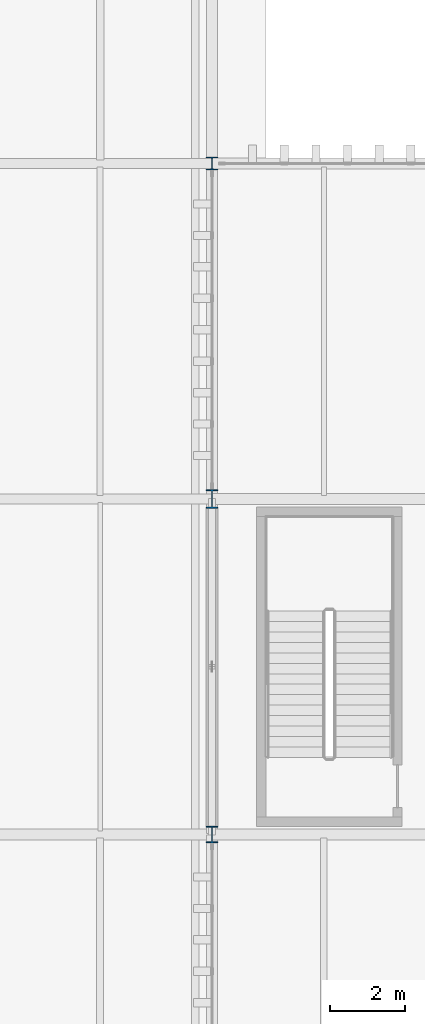
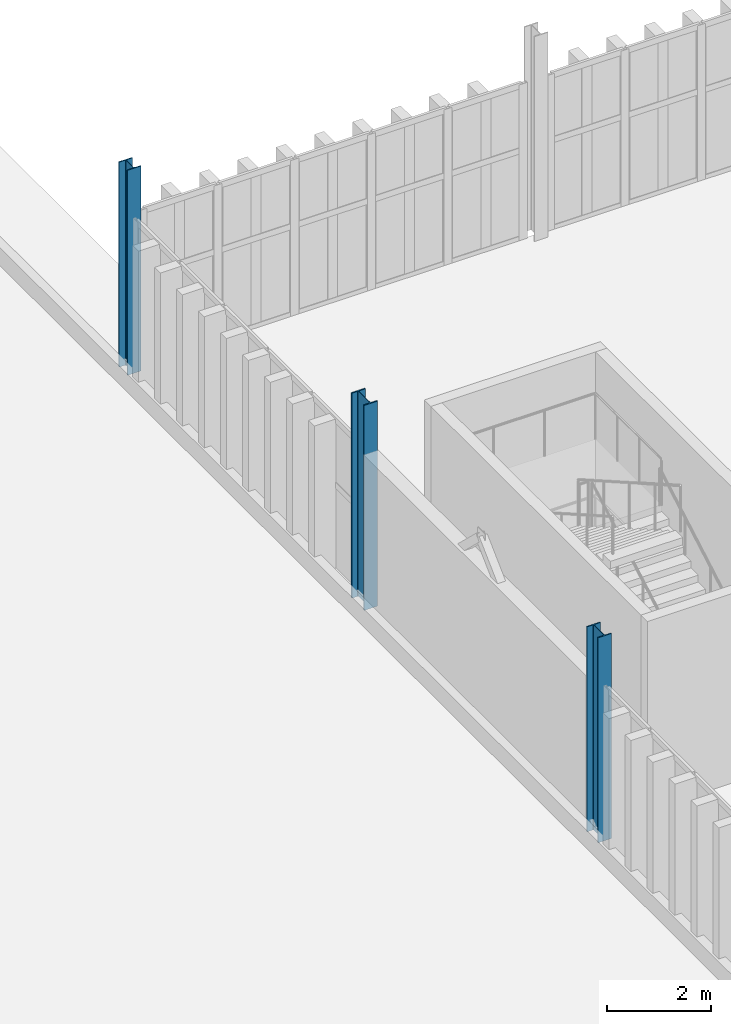
# One storey, part 7 of 196: 3 columns.
"""IFC4 building model written with IfcOpenShell, lengths in metres."""

import ifcopenshell
import ifcopenshell.guid

model = None  # the IFC model being written
_history = None  # IfcOwnerHistory: only IFC2X3 demands one
_inside = {}  # id of a spatial element -> (the spatial element, [elements in it])
_under = {}  # id of a project, library or spatial element -> (it, [spatial elements below it])
_declared = {}  # id of a project -> (the project, [libraries it declares])
_typed = {}  # id of a type object -> (the type object, [elements of that type])
_made_of = {}  # id of a material, layer set ... -> (it, [elements and type objects made of it])


def new_model(schema):
    """Start an empty IFC model of exactly this schema.

    Asked for "IFC4X3", IfcOpenShell would pick the latest addendum, in which some entities
    have other attributes; the version numbers below select the first issue.
    IFC2X3 requires an IfcOwnerHistory on every rooted entity: one is made here for all.
    """
    global model, _history
    if schema == "IFC4X3":
        model = ifcopenshell.file(schema_version=(4, 3, 0, 0))
    else:
        model = ifcopenshell.file(schema=schema)
    _inside.clear()
    _under.clear()
    _declared.clear()
    _typed.clear()
    _made_of.clear()
    _history = None
    if model.schema == "IFC2X3":
        org = make("IfcOrganization", Name="unknown")
        user = make(
            "IfcPersonAndOrganization",
            ThePerson=make("IfcPerson", FamilyName="unknown"),
            TheOrganization=org,
        )
        app = make(
            "IfcApplication",
            ApplicationDeveloper=org,
            Version="unknown",
            ApplicationFullName="unknown",
            ApplicationIdentifier="unknown",
        )
        _history = make(
            "IfcOwnerHistory",
            OwningUser=user,
            OwningApplication=app,
            ChangeAction="ADDED",
            CreationDate=0,
        )
    return model


def make(cls, **values):
    """One entity of the class cls with the attributes given. An attribute that is None is left unset."""
    return model.create_entity(
        cls, **{name: value for name, value in values.items() if value is not None}
    )


def rooted(cls, **values):
    """An entity with a GlobalId (a new one), such as an element, a storey or a relation."""
    return make(cls, GlobalId=ifcopenshell.guid.new(), OwnerHistory=_history, **values)


def si_unit(unit_type, name, prefix=None):
    """IfcSIUnit, for example si_unit("LENGTHUNIT", "METRE", prefix="MILLI")."""
    return make("IfcSIUnit", UnitType=unit_type, Prefix=prefix, Name=name)


def assignment(units):
    """IfcUnitAssignment: the units of a project."""
    return None if units is None else make("IfcUnitAssignment", Units=units)


def point(xyz):
    """IfcCartesianPoint."""
    return None if xyz is None else make("IfcCartesianPoint", Coordinates=xyz)


def direction(xyz):
    """IfcDirection."""
    return None if xyz is None else make("IfcDirection", DirectionRatios=xyz)


def frame(location, z_axis=None, x_axis=None):
    """IfcAxis2Placement3D, a coordinate frame: its origin and axes. An axis left out is left unset."""
    return make(
        "IfcAxis2Placement3D",
        Location=point(location),
        Axis=direction(z_axis),
        RefDirection=direction(x_axis),
    )


def frame_2d(location, x_axis=None):
    """IfcAxis2Placement2D, a coordinate frame in the plane: its origin and x axis."""
    return make(
        "IfcAxis2Placement2D", Location=point(location), RefDirection=direction(x_axis)
    )


def origin():
    """The frame at (0, 0, 0) with its axes left unset."""
    return frame((0.0, 0.0, 0.0))


def origin_2d():
    """The frame at (0, 0) in the plane with its x axis left unset."""
    return frame_2d((0.0, 0.0))


def place(relative_to, where):
    """IfcLocalPlacement: puts the frame where relative to a parent placement (None: the world)."""
    return make(
        "IfcLocalPlacement", PlacementRelTo=relative_to, RelativePlacement=where
    )


def context(
    kind, dimensions, precision=None, world=None, true_north=None, identifier=None
):
    """IfcGeometricRepresentationContext, for example the 3D "Model" context."""
    return make(
        "IfcGeometricRepresentationContext",
        ContextIdentifier=identifier,
        ContextType=kind,
        CoordinateSpaceDimension=dimensions,
        Precision=precision,
        WorldCoordinateSystem=world,
        TrueNorth=true_north,
    )


def subcontext(parent, identifier, kind, view, scale=None):
    """IfcGeometricRepresentationSubContext, for example "Body" below "Model"."""
    return make(
        "IfcGeometricRepresentationSubContext",
        ContextIdentifier=identifier,
        ContextType=kind,
        ParentContext=parent,
        TargetScale=scale,
        TargetView=view,
    )


def project(units=None, contexts=None):
    """IfcProject with its units and contexts."""
    return rooted(
        "IfcProject",
        Name="project",
        RepresentationContexts=contexts,
        UnitsInContext=assignment(units),
    )


def spatial(cls, under=None, at=None, **own):
    """A site, building, storey or space (cls), placed at a placement, below another one or the project."""
    s = rooted(cls, ObjectPlacement=at, **own)
    if under is not None:
        _under.setdefault(under.id(), (under, []))[1].append(s)
    return s


def profile(cls, at=None, kind="AREA", **sizes):
    """A parametric profile (cls). Its sizes go by their IFC names, for example OverallWidth=200.0."""
    return make(cls, ProfileType=kind, Position=at, **sizes)


def i_section(**sizes):
    """IfcIShapeProfileDef."""
    return profile("IfcIShapeProfileDef", **sizes)


def extrude(swept, where, along, depth):
    """IfcExtrudedAreaSolid: the profile swept, set in the frame where, extruded along a direction by depth."""
    return make(
        "IfcExtrudedAreaSolid",
        SweptArea=swept,
        Position=where,
        ExtrudedDirection=direction(along),
        Depth=depth,
    )


def shape(context_of_items, identifier, shape_type, items):
    """IfcShapeRepresentation: the items that make up one representation, for example the "Body"."""
    return make(
        "IfcShapeRepresentation",
        ContextOfItems=context_of_items,
        RepresentationIdentifier=identifier,
        RepresentationType=shape_type,
        Items=items,
    )


def material(Name=None, Category=None):
    """IfcMaterial."""
    return make("IfcMaterial", Name=Name, Category=Category)


def material_profile(
    of_material, cross_section, Name=None, Category=None, Priority=None
):
    """IfcMaterialProfile: a cross section and its material."""
    return make(
        "IfcMaterialProfile",
        Name=Name,
        Material=of_material,
        Profile=cross_section,
        Priority=Priority,
        Category=Category,
    )


def profile_set(profiles, Name=None, composite=None):
    """IfcMaterialProfileSet."""
    return make(
        "IfcMaterialProfileSet",
        Name=Name,
        MaterialProfiles=profiles,
        CompositeProfile=composite,
    )


def made_of(thing, what):
    """Note that an element or type object is made of a material, layer set ...; save() writes the relation."""
    if what is not None:
        _made_of.setdefault(what.id(), (what, []))[1].append(thing)
    return thing


def type_object(cls, material=None, **own):
    """A type object (cls), such as IfcWallType, which elements share."""
    return made_of(rooted(cls, **own), material)


def element(
    cls,
    number,
    at=None,
    inside=None,
    cuts=None,
    type_object=None,
    material=None,
    context=None,
    identifier="Body",
    shape_type=None,
    held_by="IfcProductDefinitionShape",
    body=None,
    shapes=None,
    **own,
):
    """One element of the class cls, such as IfcWall. Its Tag is "e" and its number.

    at: its placement. inside: the storey or other place that contains it. cuts: it is an
    opening in that element (IfcRelVoidsElement). A single representation is given by context,
    identifier, shape_type and body (its items); several are given by shapes. held_by: the class
    of the entity that holds the representations. save() writes the other relations.
    """
    e = rooted(cls, Tag="e%d" % number, ObjectPlacement=at, **own)
    if body is not None:
        shapes = [shape(context, identifier, shape_type, body)]
    if shapes is not None:
        e.Representation = make(held_by, Representations=shapes)
    if inside is not None:
        _inside.setdefault(inside.id(), (inside, []))[1].append(e)
    if cuts is not None:
        rooted(
            "IfcRelVoidsElement", RelatingBuildingElement=cuts, RelatedOpeningElement=e
        )
    if type_object is not None:
        _typed.setdefault(type_object.id(), (type_object, []))[1].append(e)
    return made_of(e, material)


def aggregate(whole, parts):
    """IfcRelAggregates: a whole, such as a stair, and the parts it consists of."""
    return rooted("IfcRelAggregates", RelatingObject=whole, RelatedObjects=parts)


def save(model, path):
    """Write the relations noted so far, then the file.

    IfcRelAggregates (storeys below a building ...), IfcRelContainedInSpatialStructure (elements
    in a storey), IfcRelDefinesByType, IfcRelAssociatesMaterial and IfcRelDeclares: one each for
    every whole, place, type object, material and project.
    """
    for whole, parts in _under.values():
        aggregate(whole, parts)
    for where, things in _inside.values():
        rooted(
            "IfcRelContainedInSpatialStructure",
            RelatedElements=things,
            RelatingStructure=where,
        )
    for kind, things in _typed.values():
        rooted("IfcRelDefinesByType", RelatedObjects=things, RelatingType=kind)
    for what, things in _made_of.values():
        rooted("IfcRelAssociatesMaterial", RelatedObjects=things, RelatingMaterial=what)
    for by, libraries in _declared.values():
        rooted("IfcRelDeclares", RelatingContext=by, RelatedDefinitions=libraries)
    model.write(path)


model = new_model("IFC4")

# Units and contexts
model_context = context("Model", 3, precision=1e-05, world=origin(), true_north=direction((0.0, 1.0)))
body_context = subcontext(model_context, "Body", "Model", "MODEL_VIEW")
ifc_project = project(units=[si_unit("LENGTHUNIT", "METRE"), si_unit("AREAUNIT", "SQUARE_METRE"), si_unit("VOLUMEUNIT", "CUBIC_METRE"), si_unit("PLANEANGLEUNIT", "RADIAN"), si_unit("MASSUNIT", "GRAM", prefix="KILO")], contexts=[model_context])

# Site, building, storey
site_placement = place(None, origin())
site = spatial("IfcSite", under=ifc_project, at=site_placement, CompositionType="ELEMENT")
building_placement = place(site_placement, origin())
building = spatial("IfcBuilding", under=site, at=building_placement, Name="Barlavento Convention Centre", CompositionType="ELEMENT")
storey_placement = place(building_placement, frame((0.0, 0.0, 18.0)))
storey = spatial("IfcBuildingStorey", under=building, at=storey_placement, Name="L03", CompositionType="ELEMENT", Elevation=18.0)

# Columns
ifc_material = material(Name="Steel S355", Category="steel")
ifc_material_profile_1 = material_profile(ifc_material, i_section(OverallWidth=0.300048828125, OverallDepth=0.340087890625, WebThickness=0.011962890625, FlangeThickness=0.021484375, FilletRadius=0.027099609375, at=origin_2d()), Name="HEB 340")
ifc_profile_set_1 = profile_set([ifc_material_profile_1], Name="Steel S355")
column_type_1 = type_object("IfcColumnType", Name="STR-COL-HEB340", PredefinedType="COLUMN", material=ifc_profile_set_1)
column_1_placement = place(storey_placement, frame((126.0, 99.0, 0.0), z_axis=(0.0, 0.0, 1.0), x_axis=(1.0, 0.0, 0.0)))
element("IfcColumn", 1, at=column_1_placement, inside=storey, type_object=column_type_1, Name="L03 column SC12", PredefinedType="COLUMN", context=body_context, shape_type="SweptSolid", body=[
    extrude(i_section(OverallWidth=0.300048828125, OverallDepth=0.340087890625, WebThickness=0.011962890625, FlangeThickness=0.021484375, FilletRadius=0.027099609375, at=origin_2d()), origin(), (0.0, 0.0, 1.0), 4.800048828125),
])
ifc_material_profile_2 = material_profile(ifc_material, i_section(OverallWidth=0.300048828125, OverallDepth=0.449951171875, WebThickness=0.013916015625, FlangeThickness=0.02587890625, FilletRadius=0.027099609375, at=origin_2d()), Name="HEB 450")
ifc_profile_set_2 = profile_set([ifc_material_profile_2], Name="Steel S355")
column_type_2 = type_object("IfcColumnType", Name="STR-COL-HEB450", PredefinedType="COLUMN", material=ifc_profile_set_2)
column_2_placement = place(storey_placement, frame((126.0, 81.0, 0.0), z_axis=(0.0, 0.0, 1.0), x_axis=(1.0, 0.0, 0.0)))
element("IfcColumn", 2, at=column_2_placement, inside=storey, type_object=column_type_2, Name="L03 column SC10", PredefinedType="COLUMN", context=body_context, shape_type="SweptSolid", body=[
    extrude(i_section(OverallWidth=0.300048828125, OverallDepth=0.449951171875, WebThickness=0.013916015625, FlangeThickness=0.02587890625, FilletRadius=0.027099609375, at=origin_2d()), origin(), (0.0, 0.0, 1.0), 4.800048828125),
])
ifc_material_profile_3 = material_profile(ifc_material, i_section(OverallWidth=0.300048828125, OverallDepth=0.5, WebThickness=0.014404296875, FlangeThickness=0.028076171875, FilletRadius=0.027099609375, at=origin_2d()), Name="HEB 500")
ifc_profile_set_3 = profile_set([ifc_material_profile_3], Name="Steel S355")
column_type_3 = type_object("IfcColumnType", Name="STR-COL-HEB500", PredefinedType="COLUMN", material=ifc_profile_set_3)
column_3_placement = place(storey_placement, frame((126.0, 90.0, 0.0), z_axis=(0.0, 0.0, 1.0), x_axis=(1.0, 0.0, 0.0)))
element("IfcColumn", 3, at=column_3_placement, inside=storey, type_object=column_type_3, Name="L03 column SC09", PredefinedType="COLUMN", context=body_context, shape_type="SweptSolid", body=[
    extrude(i_section(OverallWidth=0.300048828125, OverallDepth=0.5, WebThickness=0.014404296875, FlangeThickness=0.028076171875, FilletRadius=0.027099609375, at=origin_2d()), origin(), (0.0, 0.0, 1.0), 4.800048828125),
])

save(model, "model.ifc")
